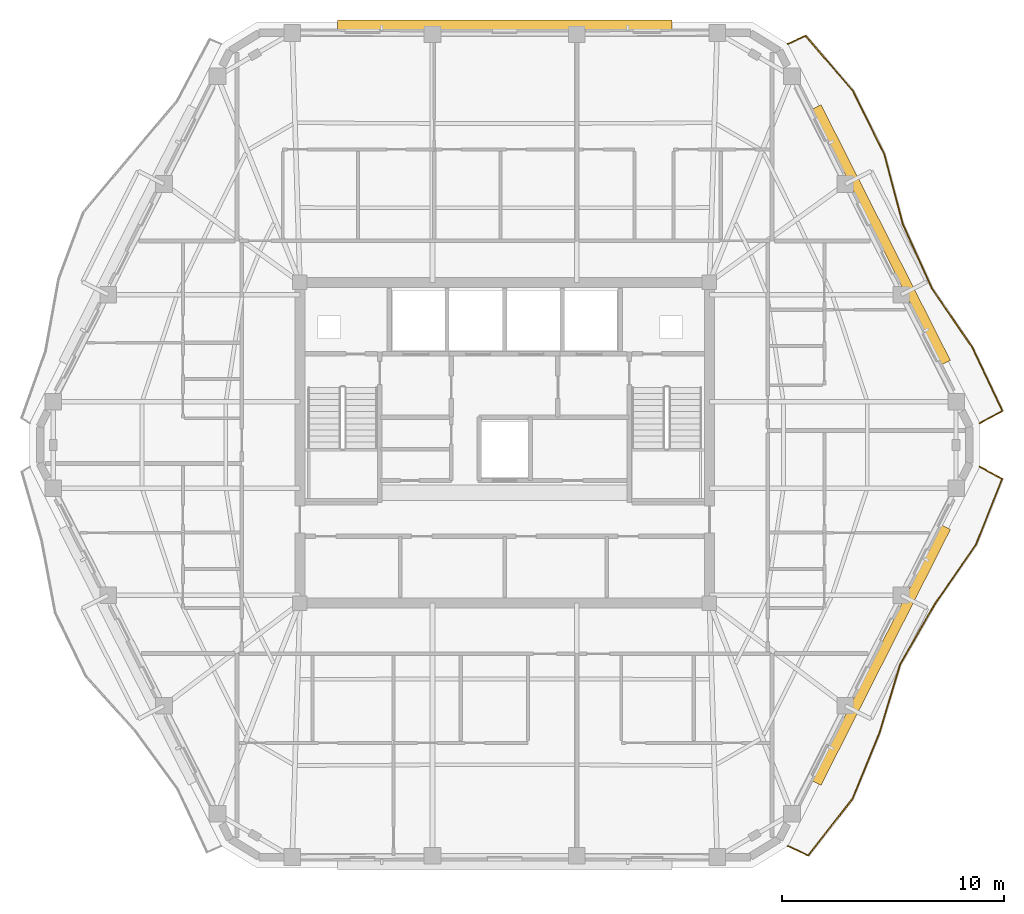
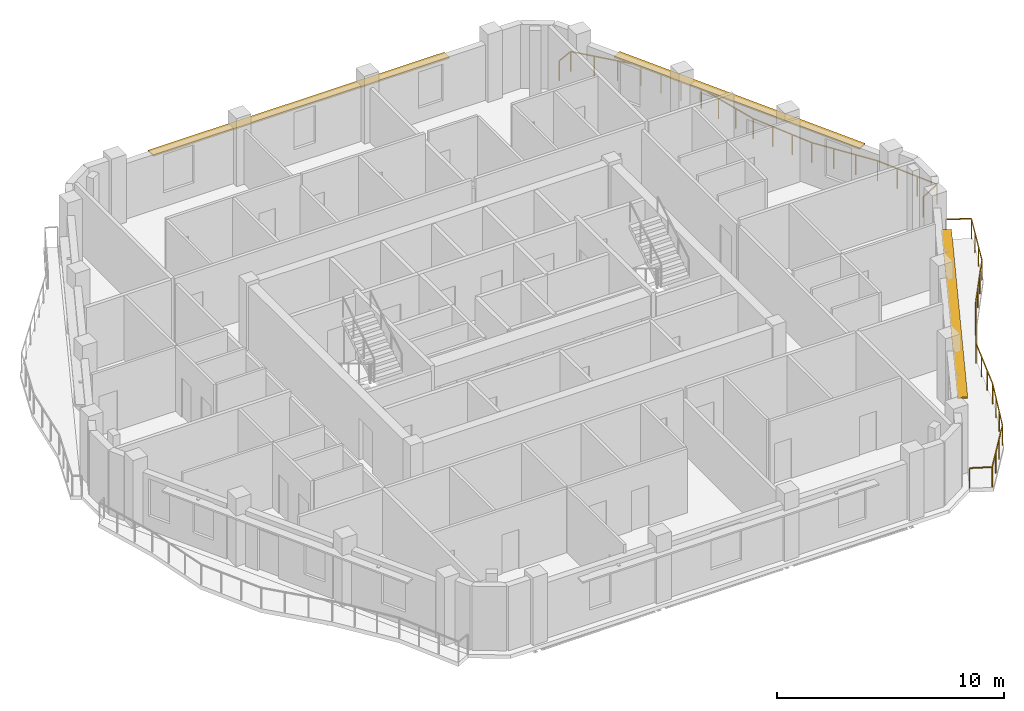
# One storey, part 11 of 11: 3 shading devices, 2 railings.
"""IFC4 building model written with IfcOpenShell, lengths in metres."""

from ifc_helpers import new_model, si_unit, direction, frame, origin, origin_2d, place, context, subcontext, project, spatial, rectangle, extrude, material, layer, layer_set, type_object, element, save


model = new_model("IFC4")

# Units and contexts
model_context = context("Model", 3, precision=1e-05, world=origin(), true_north=direction((0.0, 1.0)))
body_context = subcontext(model_context, "Body", "Model", "MODEL_VIEW")
ifc_project = project(units=[si_unit("LENGTHUNIT", "METRE"), si_unit("AREAUNIT", "SQUARE_METRE"), si_unit("VOLUMEUNIT", "CUBIC_METRE"), si_unit("PLANEANGLEUNIT", "RADIAN"), si_unit("MASSUNIT", "GRAM", prefix="KILO")], contexts=[model_context])

# Site, building, storey
site_placement = place(None, origin())
site = spatial("IfcSite", under=ifc_project, at=site_placement, CompositionType="ELEMENT")
building_placement = place(site_placement, origin())
building = spatial("IfcBuilding", under=site, at=building_placement, Name="Cinnabar Lancet Tower", CompositionType="ELEMENT")
storey_placement = place(building_placement, frame((0.0, 0.0, 256.199951171875)))
storey = spatial("IfcBuildingStorey", under=building, at=storey_placement, Name="L68", CompositionType="ELEMENT", Elevation=256.199951171875)

# Railings
ifc_material_1 = material(Name="Laminated safety glass and bronze stainless steel balustrade", Category="steel")
railing_type = type_object("IfcRailingType", Name="ENV-RLG-BAL-1100", PredefinedType="BALUSTRADE", material=ifc_material_1)
railing_1_placement = place(storey_placement, frame((45.160888671875, 7.73193359375, 0.0)))
element("IfcRailing", 1, at=railing_1_placement, inside=storey, type_object=railing_type, Name="L68 Face 2 Wave Balcony Balustrade", PredefinedType="BALUSTRADE", context=body_context, shape_type="SweptSolid", body=[
    extrude(rectangle(XDim=0.048095703125, YDim=0.048095703125, at=origin_2d()), frame((0.0, 0.0, 1.076171875), z_axis=(0.906040588142, -0.423190799333, 0.0), x_axis=(0.423190799333, 0.906040588142, 0.0)), (0.0, 0.0, 1.0), 1.006591796875),
    extrude(rectangle(XDim=0.048095703125, YDim=0.048095703125, at=origin_2d()), frame((0.912109375, -0.426025390625, 1.076171875), z_axis=(0.615658647352, 0.788012963054, 0.0), x_axis=(-0.788012963054, 0.615658647352, 0.0)), (0.0, 0.0, 1.0), 3.243896484375),
    extrude(rectangle(XDim=0.048095703125, YDim=0.048095703125, at=origin_2d()), frame((2.9091796875, 2.130126953125, 1.076171875), z_axis=(0.379314653898, 0.925267741434, 0.0), x_axis=(-0.925267741434, 0.379314653898, 0.0)), (0.0, 0.0, 1.0), 3.1923828125),
    extrude(rectangle(XDim=0.048095703125, YDim=0.048095703125, at=origin_2d()), frame((4.1201171875, 5.083984375, 1.076171875), z_axis=(0.288200688743, 0.957570030341, 0.0), x_axis=(-0.957570030341, 0.288200688743, 0.0)), (0.0, 0.0, 1.0), 3.22998046875),
    extrude(rectangle(XDim=0.048095703125, YDim=0.048095703125, at=origin_2d()), frame((5.051025390625, 8.177001953125, 1.076171875), z_axis=(0.498967934131, 0.866620447895, 0.0), x_axis=(-0.866620447895, 0.498967934131, 0.0)), (0.0, 0.0, 1.0), 3.184814453125),
    extrude(rectangle(XDim=0.048095703125, YDim=0.048095703125, at=origin_2d()), frame((6.64013671875, 10.93701171875, 1.076171875), z_axis=(0.570039666564, 0.821617172741, 0.0), x_axis=(-0.821617172741, 0.570039666564, 0.0)), (0.0, 0.0, 1.0), 3.212158203125),
    extrude(rectangle(XDim=0.048095703125, YDim=0.048095703125, at=origin_2d()), frame((8.47119140625, 13.576171875, 1.076171875), z_axis=(0.369321237435, 0.929301793595, 0.0), x_axis=(-0.929301793595, 0.369321237435, 0.0)), (0.0, 0.0, 1.0), 3.19482421875),
    extrude(rectangle(XDim=0.048095703125, YDim=0.048095703125, at=origin_2d()), frame((9.651123046875, 16.545166015625, 1.076171875), z_axis=(-0.881311902279, 0.472535004948, 0.0), x_axis=(-0.472535004948, -0.881311902279, 0.0)), (0.0, 0.0, 1.0), 1.14501953125),
    extrude(rectangle(XDim=0.0419921875, YDim=0.0419921875, at=origin_2d()), origin(), (0.0, 0.0, 1.0), 1.052001953125),
    extrude(rectangle(XDim=0.0419921875, YDim=0.0419921875, at=origin_2d()), frame((0.912109375, -0.426025390625, 0.0)), (0.0, 0.0, 1.0), 1.052001953125),
    extrude(rectangle(XDim=0.0419921875, YDim=0.0419921875, at=origin_2d()), frame((1.577880859375, 0.426025390625, 0.0)), (0.0, 0.0, 1.0), 1.052001953125),
    extrude(rectangle(XDim=0.0419921875, YDim=0.0419921875, at=origin_2d()), frame((2.243408203125, 1.278076171875, 0.0)), (0.0, 0.0, 1.0), 1.052001953125),
    extrude(rectangle(XDim=0.0419921875, YDim=0.0419921875, at=origin_2d()), frame((2.9091796875, 2.130126953125, 0.0)), (0.0, 0.0, 1.0), 1.052001953125),
    extrude(rectangle(XDim=0.0419921875, YDim=0.0419921875, at=origin_2d()), frame((3.312744140625, 3.11474609375, 0.0)), (0.0, 0.0, 1.0), 1.052001953125),
    extrude(rectangle(XDim=0.0419921875, YDim=0.0419921875, at=origin_2d()), frame((3.716552734375, 4.099365234375, 0.0)), (0.0, 0.0, 1.0), 1.052001953125),
    extrude(rectangle(XDim=0.0419921875, YDim=0.0419921875, at=origin_2d()), frame((4.1201171875, 5.083984375, 0.0)), (0.0, 0.0, 1.0), 1.052001953125),
    extrude(rectangle(XDim=0.0419921875, YDim=0.0419921875, at=origin_2d()), frame((4.430419921875, 6.114990234375, 0.0)), (0.0, 0.0, 1.0), 1.052001953125),
    extrude(rectangle(XDim=0.0419921875, YDim=0.0419921875, at=origin_2d()), frame((4.74072265625, 7.14599609375, 0.0)), (0.0, 0.0, 1.0), 1.052001953125),
    extrude(rectangle(XDim=0.0419921875, YDim=0.0419921875, at=origin_2d()), frame((5.051025390625, 8.177001953125, 0.0)), (0.0, 0.0, 1.0), 1.052001953125),
    extrude(rectangle(XDim=0.0419921875, YDim=0.0419921875, at=origin_2d()), frame((5.580810546875, 9.096923828125, 0.0)), (0.0, 0.0, 1.0), 1.052001953125),
    extrude(rectangle(XDim=0.0419921875, YDim=0.0419921875, at=origin_2d()), frame((6.1103515625, 10.01708984375, 0.0)), (0.0, 0.0, 1.0), 1.052001953125),
    extrude(rectangle(XDim=0.0419921875, YDim=0.0419921875, at=origin_2d()), frame((6.64013671875, 10.93701171875, 0.0)), (0.0, 0.0, 1.0), 1.052001953125),
    extrude(rectangle(XDim=0.0419921875, YDim=0.0419921875, at=origin_2d()), frame((7.25048828125, 11.816650390625, 0.0)), (0.0, 0.0, 1.0), 1.052001953125),
    extrude(rectangle(XDim=0.0419921875, YDim=0.0419921875, at=origin_2d()), frame((7.86083984375, 12.696533203125, 0.0)), (0.0, 0.0, 1.0), 1.052001953125),
    extrude(rectangle(XDim=0.0419921875, YDim=0.0419921875, at=origin_2d()), frame((8.47119140625, 13.576171875, 0.0)), (0.0, 0.0, 1.0), 1.052001953125),
    extrude(rectangle(XDim=0.0419921875, YDim=0.0419921875, at=origin_2d()), frame((8.864501953125, 14.56591796875, 0.0)), (0.0, 0.0, 1.0), 1.052001953125),
    extrude(rectangle(XDim=0.0419921875, YDim=0.0419921875, at=origin_2d()), frame((9.2578125, 15.555419921875, 0.0)), (0.0, 0.0, 1.0), 1.052001953125),
    extrude(rectangle(XDim=0.0419921875, YDim=0.0419921875, at=origin_2d()), frame((9.651123046875, 16.545166015625, 0.0)), (0.0, 0.0, 1.0), 1.052001953125),
    extrude(rectangle(XDim=0.0419921875, YDim=0.0419921875, at=origin_2d()), frame((8.64208984375, 17.086181640625, 0.0)), (0.0, 0.0, 1.0), 1.052001953125),
])
railing_2_placement = place(storey_placement, frame((53.802978515625, 26.781982421875, 0.0)))
element("IfcRailing", 2, at=railing_2_placement, inside=storey, type_object=railing_type, Name="L68 Face 3 Wave Balcony Balustrade", PredefinedType="BALUSTRADE", context=body_context, shape_type="SweptSolid", body=[
    extrude(rectangle(XDim=0.048095703125, YDim=0.048095703125, at=origin_2d()), frame((0.0, 0.0, 1.076171875), z_axis=(0.881423564505, 0.472326687723, 0.0), x_axis=(-0.472326687723, 0.881423564505, 0.0)), (0.0, 0.0, 1.0), 1.158447265625),
    extrude(rectangle(XDim=0.048095703125, YDim=0.048095703125, at=origin_2d()), frame((1.02099609375, 0.547119140625, 1.076171875), z_axis=(-0.429025532244, 0.903292362794, 0.0), x_axis=(-0.903292362794, -0.429025532244, 0.0)), (0.0, 0.0, 1.0), 3.183837890625),
    extrude(rectangle(XDim=0.048095703125, YDim=0.048095703125, at=origin_2d()), frame((-0.344970703125, 3.423095703125, 1.076171875), z_axis=(-0.564181859266, 0.82565054937, 0.0), x_axis=(-0.82565054937, -0.564181859266, 0.0)), (0.0, 0.0, 1.0), 3.208251953125),
    extrude(rectangle(XDim=0.048095703125, YDim=0.048095703125, at=origin_2d()), frame((-2.155029296875, 6.072021484375, 1.076171875), z_axis=(-0.413201723339, 0.910639520244, 0.0), x_axis=(-0.910639520244, -0.413201723339, 0.0)), (0.0, 0.0, 1.0), 3.182373046875),
    extrude(rectangle(XDim=0.048095703125, YDim=0.048095703125, at=origin_2d()), frame((-3.469970703125, 8.969970703125, 1.076171875), z_axis=(-0.254914484467, 0.966963600974, 0.0), x_axis=(-0.966963600974, -0.254914484467, 0.0)), (0.0, 0.0, 1.0), 3.25244140625),
    extrude(rectangle(XDim=0.048095703125, YDim=0.048095703125, at=origin_2d()), frame((-4.299072265625, 12.114990234375, 1.076171875), z_axis=(-0.443896833018, 0.896077899312, 0.0), x_axis=(-0.896077899312, -0.443896833018, 0.0)), (0.0, 0.0, 1.0), 3.182861328125),
    extrude(rectangle(XDim=0.048095703125, YDim=0.048095703125, at=origin_2d()), frame((-5.7119140625, 14.967041015625, 1.076171875), z_axis=(-0.652568275833, 0.757729929049, 0.0), x_axis=(-0.757729929049, -0.652568275833, 0.0)), (0.0, 0.0, 1.0), 3.278076171875),
    extrude(rectangle(XDim=0.048095703125, YDim=0.048095703125, at=origin_2d()), frame((-7.85107421875, 17.450927734375, 1.076171875), z_axis=(-0.908000391913, -0.418969316639, 0.0), x_axis=(0.418969316639, -0.908000391913, 0.0)), (0.0, 0.0, 1.0), 0.87109375),
    extrude(rectangle(XDim=0.0419921875, YDim=0.0419921875, at=origin_2d()), origin(), (0.0, 0.0, 1.0), 1.052001953125),
    extrude(rectangle(XDim=0.0419921875, YDim=0.0419921875, at=origin_2d()), frame((1.02099609375, 0.547119140625, 0.0)), (0.0, 0.0, 1.0), 1.052001953125),
    extrude(rectangle(XDim=0.0419921875, YDim=0.0419921875, at=origin_2d()), frame((0.565673828125, 1.505859375, 0.0)), (0.0, 0.0, 1.0), 1.052001953125),
    extrude(rectangle(XDim=0.0419921875, YDim=0.0419921875, at=origin_2d()), frame((0.1103515625, 2.46435546875, 0.0)), (0.0, 0.0, 1.0), 1.052001953125),
    extrude(rectangle(XDim=0.0419921875, YDim=0.0419921875, at=origin_2d()), frame((-0.344970703125, 3.423095703125, 0.0)), (0.0, 0.0, 1.0), 1.052001953125),
    extrude(rectangle(XDim=0.0419921875, YDim=0.0419921875, at=origin_2d()), frame((-0.9482421875, 4.30615234375, 0.0)), (0.0, 0.0, 1.0), 1.052001953125),
    extrude(rectangle(XDim=0.0419921875, YDim=0.0419921875, at=origin_2d()), frame((-1.5517578125, 5.18896484375, 0.0)), (0.0, 0.0, 1.0), 1.052001953125),
    extrude(rectangle(XDim=0.0419921875, YDim=0.0419921875, at=origin_2d()), frame((-2.155029296875, 6.072021484375, 0.0)), (0.0, 0.0, 1.0), 1.052001953125),
    extrude(rectangle(XDim=0.0419921875, YDim=0.0419921875, at=origin_2d()), frame((-2.59326171875, 7.0380859375, 0.0)), (0.0, 0.0, 1.0), 1.052001953125),
    extrude(rectangle(XDim=0.0419921875, YDim=0.0419921875, at=origin_2d()), frame((-3.03173828125, 8.00390625, 0.0)), (0.0, 0.0, 1.0), 1.052001953125),
    extrude(rectangle(XDim=0.0419921875, YDim=0.0419921875, at=origin_2d()), frame((-3.469970703125, 8.969970703125, 0.0)), (0.0, 0.0, 1.0), 1.052001953125),
    extrude(rectangle(XDim=0.0419921875, YDim=0.0419921875, at=origin_2d()), frame((-3.746337890625, 10.018310546875, 0.0)), (0.0, 0.0, 1.0), 1.052001953125),
    extrude(rectangle(XDim=0.0419921875, YDim=0.0419921875, at=origin_2d()), frame((-4.022705078125, 11.066650390625, 0.0)), (0.0, 0.0, 1.0), 1.052001953125),
    extrude(rectangle(XDim=0.0419921875, YDim=0.0419921875, at=origin_2d()), frame((-4.299072265625, 12.114990234375, 0.0)), (0.0, 0.0, 1.0), 1.052001953125),
    extrude(rectangle(XDim=0.0419921875, YDim=0.0419921875, at=origin_2d()), frame((-4.77001953125, 13.065673828125, 0.0)), (0.0, 0.0, 1.0), 1.052001953125),
    extrude(rectangle(XDim=0.0419921875, YDim=0.0419921875, at=origin_2d()), frame((-5.240966796875, 14.016357421875, 0.0)), (0.0, 0.0, 1.0), 1.052001953125),
    extrude(rectangle(XDim=0.0419921875, YDim=0.0419921875, at=origin_2d()), frame((-5.7119140625, 14.967041015625, 0.0)), (0.0, 0.0, 1.0), 1.052001953125),
    extrude(rectangle(XDim=0.0419921875, YDim=0.0419921875, at=origin_2d()), frame((-6.425048828125, 15.794921875, 0.0)), (0.0, 0.0, 1.0), 1.052001953125),
    extrude(rectangle(XDim=0.0419921875, YDim=0.0419921875, at=origin_2d()), frame((-7.137939453125, 16.623046875, 0.0)), (0.0, 0.0, 1.0), 1.052001953125),
    extrude(rectangle(XDim=0.0419921875, YDim=0.0419921875, at=origin_2d()), frame((-7.85107421875, 17.450927734375, 0.0)), (0.0, 0.0, 1.0), 1.052001953125),
    extrude(rectangle(XDim=0.0419921875, YDim=0.0419921875, at=origin_2d()), frame((-8.64208984375, 17.0859375, 0.0)), (0.0, 0.0, 1.0), 1.052001953125),
])

# Shading devices
ifc_material_2 = material(Name="Pale limestone architectural aluminium sunshade", Category="masonry")
ifc_layer = layer(ifc_material_2, 0.080078125)
ifc_layer_set = layer_set([ifc_layer], Name="Pale limestone architectural aluminium sunshade")
shading_device_type = type_object("IfcShadingDeviceType", Name="ENV-SHD-LVR-450", PredefinedType="JALOUSIE", material=ifc_layer_set)
for number, where, z_axis, x_axis, name in (
    (3, (49.364013671875, 16.330078125, 2.639892578125), (0.0, 0.0, 1.0), (0.451375984307, 0.89233386173, 0.0), "L68 Face 2 Horizontal Sunshade Canopy"),
    (4, (49.364013671875, 35.27001953125, 2.639892578125), (0.0, 0.0, 1.0), (-0.451375984307, 0.89233386173, 0.0), "L68 Face 3 Horizontal Sunshade Canopy"),
):
    element("IfcShadingDevice", number, at=place(storey_placement, frame(where, z_axis=z_axis, x_axis=x_axis)), inside=storey, type_object=shading_device_type, Name=name, PredefinedType="JALOUSIE", context=body_context, shape_type="SweptSolid", body=[
        extrude(rectangle(XDim=12.912109375, YDim=0.449951171875, at=origin_2d()), origin(), (0.0, 0.0, 1.0), 0.080078125),
    ])
shading_device_placement = place(storey_placement, frame((32.39990234375, 44.719970703125, 2.639892578125), z_axis=(0.0, 0.0, 1.0), x_axis=(-1.0, 0.0, 0.0)))
element("IfcShadingDevice", 5, at=shading_device_placement, inside=storey, type_object=shading_device_type, Name="L68 Face 4 Horizontal Sunshade Canopy", PredefinedType="JALOUSIE", context=body_context, shape_type="SweptSolid", body=[
    extrude(rectangle(XDim=15.06103515625, YDim=0.449951171875, at=origin_2d()), origin(), (0.0, 0.0, 1.0), 0.080078125),
])

save(model, "model.ifc")
